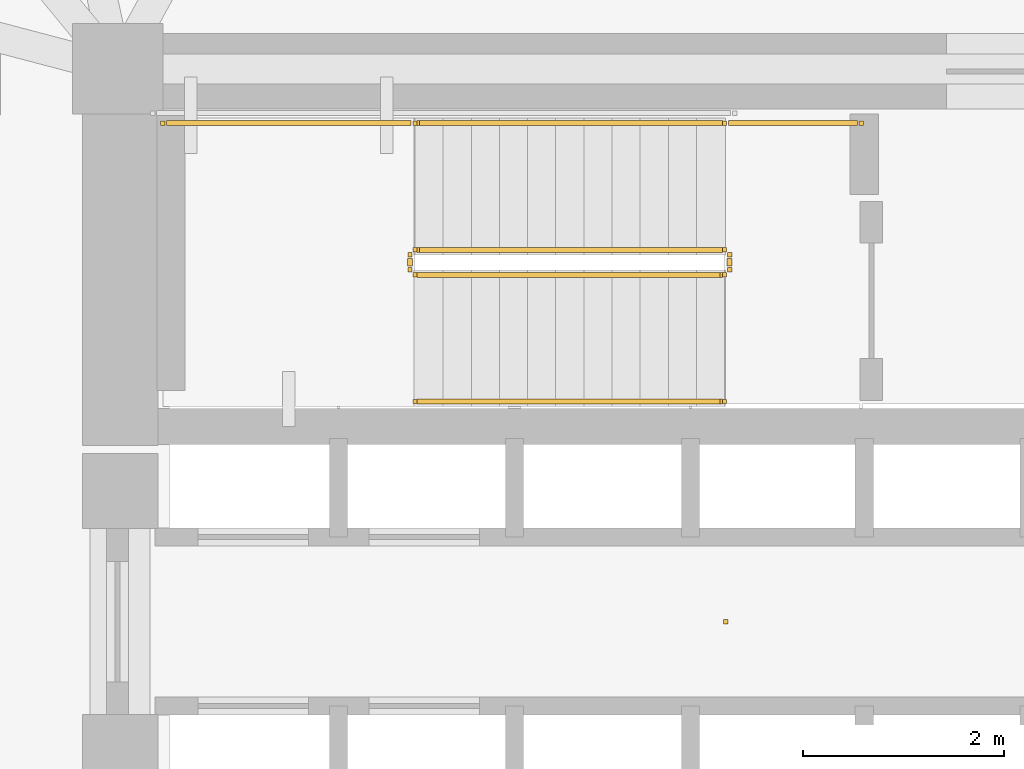
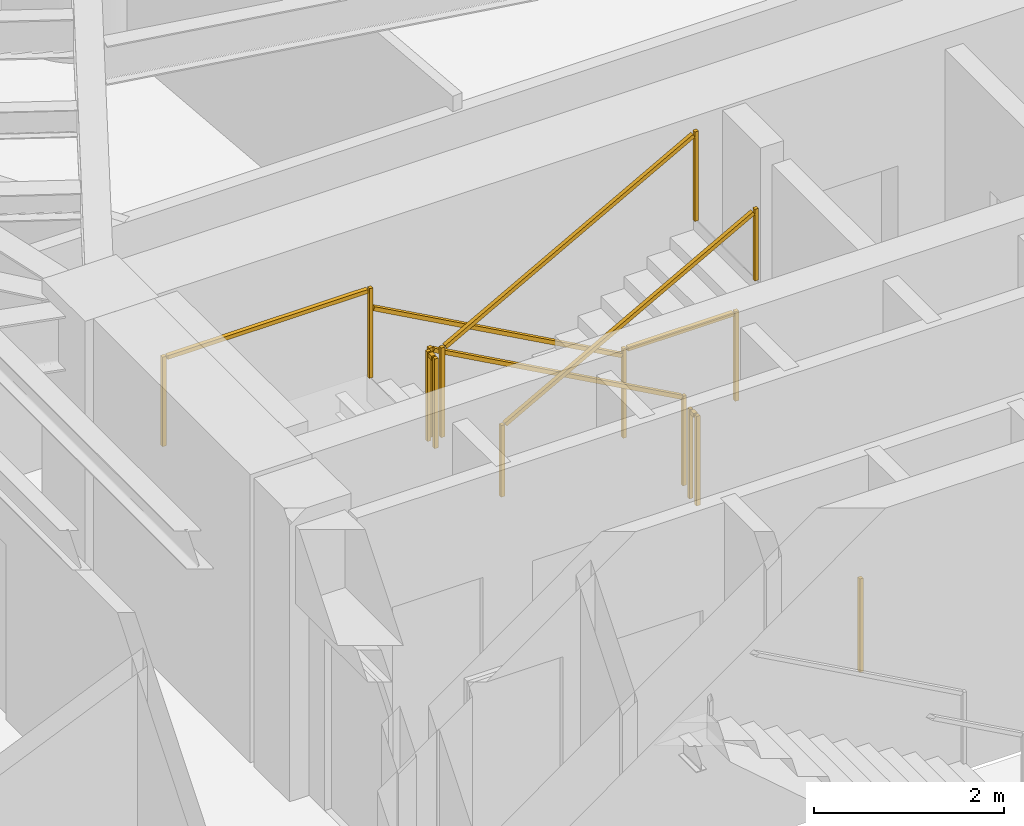
# One storey, part 10 of 11: 9 railings.
"""IFC4 building model written with IfcOpenShell, lengths in metres."""

from ifc_helpers import new_model, si_unit, direction, frame, origin, origin_2d, place, context, subcontext, project, spatial, rectangle, extrude, material, type_object, element, save


model = new_model("IFC4")

# Units and contexts
model_context = context("Model", 3, precision=1e-05, world=origin(), true_north=direction((0.0, 1.0)))
body_context = subcontext(model_context, "Body", "Model", "MODEL_VIEW")
ifc_project = project(units=[si_unit("LENGTHUNIT", "METRE"), si_unit("AREAUNIT", "SQUARE_METRE"), si_unit("VOLUMEUNIT", "CUBIC_METRE"), si_unit("PLANEANGLEUNIT", "RADIAN"), si_unit("MASSUNIT", "GRAM", prefix="KILO")], contexts=[model_context])

# Site, building, storey
site_placement = place(None, origin())
site = spatial("IfcSite", under=ifc_project, at=site_placement, CompositionType="ELEMENT")
building_placement = place(site_placement, origin())
building = spatial("IfcBuilding", under=site, at=building_placement, Name="Yunling Apex Tower", CompositionType="ELEMENT")
storey_placement = place(building_placement, frame((0.0, 0.0, 42.300048828125)))
storey = spatial("IfcBuildingStorey", under=building, at=storey_placement, Name="L12", CompositionType="ELEMENT", Elevation=42.300048828125)

# Railings
ifc_material_1 = material(Name="Bronze anodised aluminium", Category="aluminium")
railing_type_1 = type_object("IfcRailingType", Name="RL-BAL-1200", PredefinedType="BALUSTRADE", material=ifc_material_1)
railing_1_placement = place(storey_placement, origin())
element("IfcRailing", 1, at=railing_1_placement, inside=storey, type_object=railing_type_1, Name="RL-TATR-L12", PredefinedType="BALUSTRADE", context=body_context, shape_type="SweptSolid", body=[
    extrude(rectangle(XDim=0.0439453125, YDim=0.0439453125, at=origin_2d()), origin(), (0.0, 0.0, 1.0), 1.199951171875),
])
ifc_material_2 = material(Name="Steel Q355B", Category="steel")
railing_type_2 = type_object("IfcRailingType", Name="RL-GRD-1150", PredefinedType="GUARDRAIL", material=ifc_material_2)
railing_2_placement = place(storey_placement, frame((-0.010009765625, 3.699951171875, 0.154052734375)))
element("IfcRailing", 2, at=railing_2_placement, inside=storey, type_object=railing_type_2, Name="L12 ST-1 stair guard 1", PredefinedType="GUARDRAIL", context=body_context, shape_type="SweptSolid", body=[
    extrude(rectangle(XDim=0.0439453125, YDim=0.0439453125, at=origin_2d()), origin(), (0.0, 0.0, 1.0), 1.14990234375),
    extrude(rectangle(XDim=0.0439453125, YDim=0.0439453125, at=origin_2d()), frame((-3.080078125, 0.0, 1.69580078125)), (0.0, 0.0, 1.0), 1.14990234375),
    extrude(rectangle(XDim=0.050048828125, YDim=0.050048828125, at=origin_2d()), frame((-0.03369140625, 0.0, 1.143310546875), z_axis=(-0.876004717809, 0.0, 0.482302534076), x_axis=(0.0, -1.0, 0.0)), (0.0, 0.0, 1.0), 3.439453125),
])
railing_3_placement = place(storey_placement, frame((-3.139892578125, 3.64990234375, 1.849853515625)))
element("IfcRailing", 3, at=railing_3_placement, inside=storey, type_object=railing_type_2, Name="L12 ST-1 stair guard 2", PredefinedType="GUARDRAIL", context=body_context, shape_type="SweptSolid", body=[
    extrude(rectangle(XDim=0.0439453125, YDim=0.0439453125, at=origin_2d()), origin(), (0.0, 0.0, 1.0), 1.14990234375),
    extrude(rectangle(XDim=0.0439453125, YDim=0.0439453125, at=origin_2d()), frame((0.0, -0.14990234375, 0.0)), (0.0, 0.0, 1.0), 1.14990234375),
    extrude(rectangle(XDim=0.050048828125, YDim=0.050048828125, at=origin_2d()), frame((0.0, -0.038330078125, 1.125), z_axis=(0.0, -1.0, 0.0), x_axis=(1.0, 0.0, 0.0)), (0.0, 0.0, 1.0), 0.0732421875),
])
railing_4_placement = place(storey_placement, frame((-3.090087890625, 4.9599609375, 1.849853515625)))
element("IfcRailing", 4, at=railing_4_placement, inside=storey, type_object=railing_type_2, Name="L12 ST-1 stair guard 3", PredefinedType="GUARDRAIL", context=body_context, shape_type="SweptSolid", body=[
    extrude(rectangle(XDim=0.0439453125, YDim=0.0439453125, at=origin_2d()), origin(), (0.0, 0.0, 1.0), 1.14990234375),
    extrude(rectangle(XDim=0.0439453125, YDim=0.0439453125, at=origin_2d()), frame((-2.510009765625, 0.0, 0.0)), (0.0, 0.0, 1.0), 1.14990234375),
    extrude(rectangle(XDim=0.050048828125, YDim=0.050048828125, at=origin_2d()), frame((-0.038330078125, 0.0, 1.125), z_axis=(-1.0, 0.0, 0.0), x_axis=(0.0, -1.0, 0.0)), (0.0, 0.0, 1.0), 2.433349609375),
])
railing_5_placement = place(storey_placement, frame((-3.090087890625, 3.449951171875, 2.004150390625)))
element("IfcRailing", 5, at=railing_5_placement, inside=storey, type_object=railing_type_2, Name="L12 ST-1 stair guard 4", PredefinedType="GUARDRAIL", context=body_context, shape_type="SweptSolid", body=[
    extrude(rectangle(XDim=0.0439453125, YDim=0.0439453125, at=origin_2d()), origin(), (0.0, 0.0, 1.0), 1.14990234375),
    extrude(rectangle(XDim=0.0439453125, YDim=0.0439453125, at=origin_2d()), frame((3.080078125, 0.0, 1.69580078125)), (0.0, 0.0, 1.0), 1.14990234375),
    extrude(rectangle(XDim=0.050048828125, YDim=0.050048828125, at=origin_2d()), frame((0.03369140625, 0.0, 1.143310546875), z_axis=(0.876004717809, 0.0, 0.482302534076), x_axis=(0.0, 1.0, 0.0)), (0.0, 0.0, 1.0), 3.439453125),
])
railing_6_placement = place(storey_placement, frame((0.0400390625, 3.64990234375, 0.0)))
element("IfcRailing", 6, at=railing_6_placement, inside=storey, type_object=railing_type_2, Name="L12 ST-1 stair guard 5", PredefinedType="GUARDRAIL", context=body_context, shape_type="SweptSolid", body=[
    extrude(rectangle(XDim=0.0439453125, YDim=0.0439453125, at=origin_2d()), origin(), (0.0, 0.0, 1.0), 1.14990234375),
    extrude(rectangle(XDim=0.0439453125, YDim=0.0439453125, at=origin_2d()), frame((0.0, -0.14990234375, 0.0)), (0.0, 0.0, 1.0), 1.14990234375),
    extrude(rectangle(XDim=0.050048828125, YDim=0.050048828125, at=origin_2d()), frame((0.0, -0.038330078125, 1.125), z_axis=(0.0, -1.0, 0.0), x_axis=(1.0, 0.0, 0.0)), (0.0, 0.0, 1.0), 0.0732421875),
])
railing_7_placement = place(storey_placement, frame((1.35009765625, 4.9599609375, 0.0)))
element("IfcRailing", 7, at=railing_7_placement, inside=storey, type_object=railing_type_2, Name="L12 ST-1 stair guard 6", PredefinedType="GUARDRAIL", context=body_context, shape_type="SweptSolid", body=[
    extrude(rectangle(XDim=0.0439453125, YDim=0.0439453125, at=origin_2d()), origin(), (0.0, 0.0, 1.0), 1.14990234375),
    extrude(rectangle(XDim=0.0439453125, YDim=0.0439453125, at=origin_2d()), frame((-1.360107421875, 0.0, 0.0)), (0.0, 0.0, 1.0), 1.14990234375),
    extrude(rectangle(XDim=0.050048828125, YDim=0.050048828125, at=origin_2d()), frame((-0.038330078125, 0.0, 1.125), z_axis=(-1.0, 0.0, 0.0), x_axis=(0.0, -1.0, 0.0)), (0.0, 0.0, 1.0), 1.283447265625),
])
ifc_material_3 = material(Name="Silver anodised aluminium", Category="aluminium")
railing_type_3 = type_object("IfcRailingType", Name="RL-HND-900", PredefinedType="HANDRAIL", material=ifc_material_3)
railing_8_placement = place(storey_placement, frame((-0.010009765625, 4.9599609375, 0.154052734375)))
element("IfcRailing", 8, at=railing_8_placement, inside=storey, type_object=railing_type_3, Name="L12 ST-1 stair handrail 1", PredefinedType="HANDRAIL", context=body_context, shape_type="SweptSolid", body=[
    extrude(rectangle(XDim=0.0439453125, YDim=0.0439453125, at=origin_2d()), origin(), (0.0, 0.0, 1.0), 0.919921875),
    extrude(rectangle(XDim=0.0439453125, YDim=0.0439453125, at=origin_2d()), frame((-3.080078125, 0.0, 1.69580078125)), (0.0, 0.0, 1.0), 0.919921875),
    extrude(rectangle(XDim=0.050048828125, YDim=0.050048828125, at=origin_2d()), frame((-0.03369140625, 0.0, 0.913330078125), z_axis=(-0.876004717809, 0.0, 0.482302534076), x_axis=(0.0, -1.0, 0.0)), (0.0, 0.0, 1.0), 3.439453125),
])
railing_9_placement = place(storey_placement, frame((-3.090087890625, 2.18994140625, 2.004150390625)))
element("IfcRailing", 9, at=railing_9_placement, inside=storey, type_object=railing_type_3, Name="L12 ST-1 stair handrail 2", PredefinedType="HANDRAIL", context=body_context, shape_type="SweptSolid", body=[
    extrude(rectangle(XDim=0.0439453125, YDim=0.0439453125, at=origin_2d()), origin(), (0.0, 0.0, 1.0), 0.919921875),
    extrude(rectangle(XDim=0.0439453125, YDim=0.0439453125, at=origin_2d()), frame((3.080078125, 0.0, 1.69580078125)), (0.0, 0.0, 1.0), 0.919921875),
    extrude(rectangle(XDim=0.050048828125, YDim=0.050048828125, at=origin_2d()), frame((0.03369140625, 0.0, 0.913330078125), z_axis=(0.876004717809, 0.0, 0.482302534076), x_axis=(0.0, 1.0, 0.0)), (0.0, 0.0, 1.0), 3.439453125),
])

save(model, "model.ifc")
